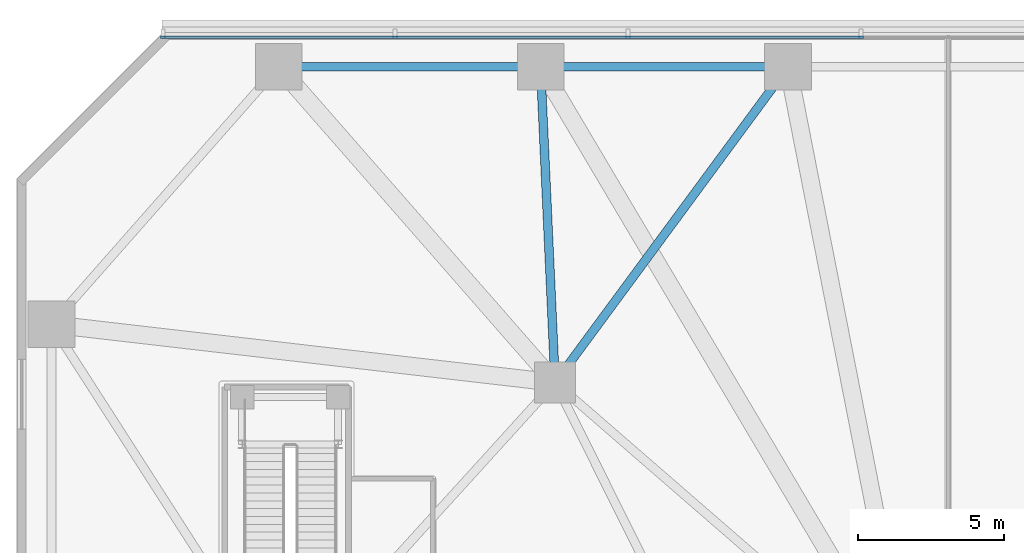
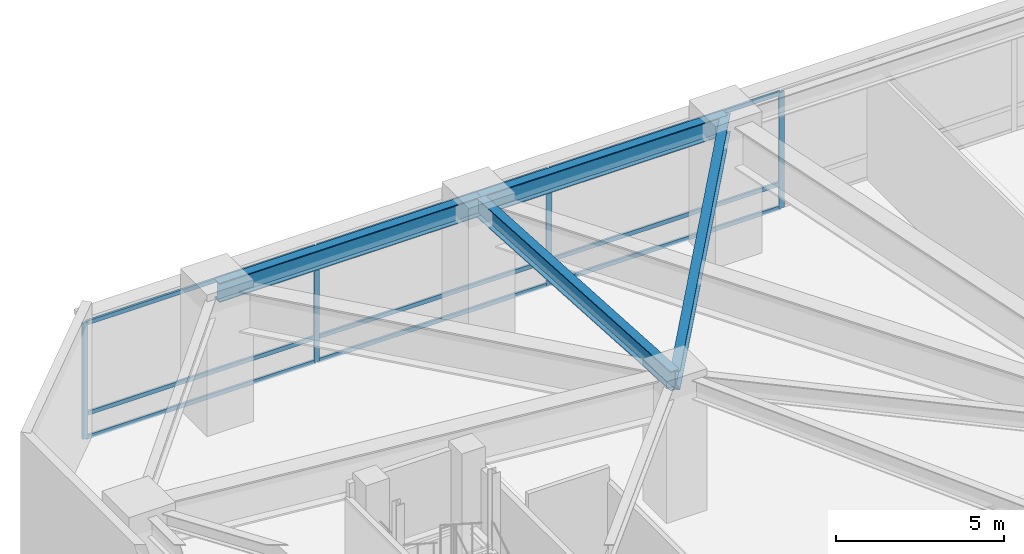
# One storey, part 9 of 27: 13 members, 4 beams, 1 element without a shape of its own.
"""IFC4 building model written with IfcOpenShell, lengths in metres."""

from ifc_helpers import new_model, si_unit, direction, frame, origin, origin_2d, place, context, subcontext, project, spatial, rectangle, i_section, extrude, material, layer, layer_set, material_profile, profile_set, type_object, element, aggregate, save


model = new_model("IFC4")

# Units and contexts
model_context = context("Model", 3, precision=1e-05, world=origin(), true_north=direction((0.0, 1.0)))
body_context = subcontext(model_context, "Body", "Model", "MODEL_VIEW")
ifc_project = project(units=[si_unit("LENGTHUNIT", "METRE"), si_unit("AREAUNIT", "SQUARE_METRE"), si_unit("VOLUMEUNIT", "CUBIC_METRE"), si_unit("PLANEANGLEUNIT", "RADIAN"), si_unit("MASSUNIT", "GRAM", prefix="KILO")], contexts=[model_context])

# Site, building, storey
site_placement = place(None, origin())
site = spatial("IfcSite", under=ifc_project, at=site_placement, CompositionType="ELEMENT")
building_placement = place(site_placement, origin())
building = spatial("IfcBuilding", under=site, at=building_placement, Name="Terralouvre Media Tower", CompositionType="ELEMENT")
storey_placement = place(building_placement, frame((0.0, 0.0, 5.199951171875)))
storey = spatial("IfcBuildingStorey", under=building, at=storey_placement, Name="L01", CompositionType="ELEMENT", Elevation=5.199951171875)

# Curtain wall, members
ifc_material_1 = material(Name="Low-iron laminated double glazing with solar-control coating", Category="glass")
ifc_layer = layer(ifc_material_1, 0.1650390625, Name="Podium Broadcast Gallery Glazing CW-01")
ifc_layer_set = layer_set([ifc_layer], Name="Low-iron laminated double glazing with solar-control coating")
curtain_wall_type = type_object("IfcCurtainWallType", Name="Podium Broadcast Gallery Glazing CW-01", PredefinedType="NOTDEFINED", material=ifc_layer_set)
curtain_wall_placement = place(storey_placement, origin())
curtain_wall = element("IfcCurtainWall", 1, at=curtain_wall_placement, inside=storey, type_object=curtain_wall_type, Name="L01 Podium Curtain Wall F4", PredefinedType="NOTDEFINED")
ifc_material_2 = material(Name="Anodised extruded aluminium 6063-T6", Category="aluminium")
ifc_material_profile_1 = material_profile(ifc_material_2, rectangle(XDim=0.074951171875, YDim=0.14990234375, at=origin_2d()), Name="ALU 75x150")
ifc_profile_set_1 = profile_set([ifc_material_profile_1], Name="Anodised extruded aluminium 6063-T6")
member_type_1 = type_object("IfcMemberType", Name="Curtain-Wall Horizontal Transom TR-150", PredefinedType="USERDEFINED", material=ifc_profile_set_1)
member_1_placement = place(storey_placement, frame((-8.03759765625, 33.360107421875, 0.03759765625), z_axis=(-1.0, 0.0, 0.0), x_axis=(0.0, -1.0, 0.0)))
member_1 = element("IfcMember", 2, at=member_1_placement, type_object=member_type_1, Name="CW-01 transom 6.1", ObjectType="TRANSOM", PredefinedType="USERDEFINED", context=body_context, shape_type="SweptSolid", body=[
    extrude(rectangle(XDim=0.074951171875, YDim=0.14990234375, at=origin_2d()), origin(), (0.0, 0.0, 1.0), 7.9248046875),
])
member_2_placement = place(storey_placement, frame((-8.03759765625, 33.360107421875, 0.900146484375), z_axis=(-1.0, 0.0, 0.0), x_axis=(0.0, -1.0, 0.0)))
member_2 = element("IfcMember", 3, at=member_2_placement, type_object=member_type_1, Name="CW-01 transom 6.2", ObjectType="TRANSOM", PredefinedType="USERDEFINED", context=body_context, shape_type="SweptSolid", body=[
    extrude(rectangle(XDim=0.074951171875, YDim=0.14990234375, at=origin_2d()), origin(), (0.0, 0.0, 1.0), 7.9248046875),
])
member_3_placement = place(storey_placement, frame((-8.03759765625, 33.360107421875, 4.192626953125), z_axis=(-1.0, 0.0, 0.0), x_axis=(0.0, -1.0, 0.0)))
member_3 = element("IfcMember", 4, at=member_3_placement, type_object=member_type_1, Name="CW-01 transom 6.3", ObjectType="TRANSOM", PredefinedType="USERDEFINED", context=body_context, shape_type="SweptSolid", body=[
    extrude(rectangle(XDim=0.074951171875, YDim=0.14990234375, at=origin_2d()), origin(), (0.0, 0.0, 1.0), 7.9248046875),
])
member_4_placement = place(storey_placement, frame((-16.03759765625, 33.360107421875, 0.03759765625), z_axis=(-1.0, 0.0, 0.0), x_axis=(0.0, -1.0, 0.0)))
member_4 = element("IfcMember", 5, at=member_4_placement, type_object=member_type_1, Name="CW-01 transom 7.1", ObjectType="TRANSOM", PredefinedType="USERDEFINED", context=body_context, shape_type="SweptSolid", body=[
    extrude(rectangle(XDim=0.074951171875, YDim=0.14990234375, at=origin_2d()), origin(), (0.0, 0.0, 1.0), 7.9248046875),
])
member_5_placement = place(storey_placement, frame((-16.03759765625, 33.360107421875, 0.900146484375), z_axis=(-1.0, 0.0, 0.0), x_axis=(0.0, -1.0, 0.0)))
member_5 = element("IfcMember", 6, at=member_5_placement, type_object=member_type_1, Name="CW-01 transom 7.2", ObjectType="TRANSOM", PredefinedType="USERDEFINED", context=body_context, shape_type="SweptSolid", body=[
    extrude(rectangle(XDim=0.074951171875, YDim=0.14990234375, at=origin_2d()), origin(), (0.0, 0.0, 1.0), 7.9248046875),
])
member_6_placement = place(storey_placement, frame((-16.03759765625, 33.360107421875, 4.192626953125), z_axis=(-1.0, 0.0, 0.0), x_axis=(0.0, -1.0, 0.0)))
member_6 = element("IfcMember", 7, at=member_6_placement, type_object=member_type_1, Name="CW-01 transom 7.3", ObjectType="TRANSOM", PredefinedType="USERDEFINED", context=body_context, shape_type="SweptSolid", body=[
    extrude(rectangle(XDim=0.074951171875, YDim=0.14990234375, at=origin_2d()), origin(), (0.0, 0.0, 1.0), 7.9248046875),
])
member_7_placement = place(storey_placement, frame((-24.03759765625, 33.360107421875, 0.03759765625), z_axis=(-1.0, 0.0, 0.0), x_axis=(0.0, -1.0, 0.0)))
member_7 = element("IfcMember", 8, at=member_7_placement, type_object=member_type_1, Name="CW-01 transom 8.1", ObjectType="TRANSOM", PredefinedType="USERDEFINED", context=body_context, shape_type="SweptSolid", body=[
    extrude(rectangle(XDim=0.074951171875, YDim=0.14990234375, at=origin_2d()), origin(), (0.0, 0.0, 1.0), 7.887451171875),
])
member_8_placement = place(storey_placement, frame((-24.03759765625, 33.360107421875, 0.900146484375), z_axis=(-1.0, 0.0, 0.0), x_axis=(0.0, -1.0, 0.0)))
member_8 = element("IfcMember", 9, at=member_8_placement, type_object=member_type_1, Name="CW-01 transom 8.2", ObjectType="TRANSOM", PredefinedType="USERDEFINED", context=body_context, shape_type="SweptSolid", body=[
    extrude(rectangle(XDim=0.074951171875, YDim=0.14990234375, at=origin_2d()), origin(), (0.0, 0.0, 1.0), 7.887451171875),
])
member_9_placement = place(storey_placement, frame((-24.03759765625, 33.360107421875, 4.192626953125), z_axis=(-1.0, 0.0, 0.0), x_axis=(0.0, -1.0, 0.0)))
member_9 = element("IfcMember", 10, at=member_9_placement, type_object=member_type_1, Name="CW-01 transom 8.3", ObjectType="TRANSOM", PredefinedType="USERDEFINED", context=body_context, shape_type="SweptSolid", body=[
    extrude(rectangle(XDim=0.074951171875, YDim=0.14990234375, at=origin_2d()), origin(), (0.0, 0.0, 1.0), 7.887451171875),
])
ifc_material_3 = material(Name="Anodised extruded aluminium 6063-T6", Category="aluminium")
ifc_material_profile_2 = material_profile(ifc_material_3, rectangle(XDim=0.074951171875, YDim=0.179931640625, at=origin_2d()), Name="ALU 75x180")
ifc_profile_set_2 = profile_set([ifc_material_profile_2], Name="Anodised extruded aluminium 6063-T6")
member_type_2 = type_object("IfcMemberType", Name="Curtain-Wall Vertical Mullion ML-180", PredefinedType="MULLION", material=ifc_profile_set_2)
member_10_placement = place(storey_placement, frame((-8.0, 33.360107421875, 0.0), z_axis=(0.0, 0.0, 1.0), x_axis=(0.0, -1.0, 0.0)))
member_10 = element("IfcMember", 11, at=member_10_placement, type_object=member_type_2, Name="CW-01 mullion 6", PredefinedType="MULLION", context=body_context, shape_type="SweptSolid", body=[
    extrude(rectangle(XDim=0.074951171875, YDim=0.179931640625, at=origin_2d()), origin(), (0.0, 0.0, 1.0), 4.22998046875),
])
member_11_placement = place(storey_placement, frame((-16.0, 33.360107421875, 0.0), z_axis=(0.0, 0.0, 1.0), x_axis=(0.0, -1.0, 0.0)))
member_11 = element("IfcMember", 12, at=member_11_placement, type_object=member_type_2, Name="CW-01 mullion 7", PredefinedType="MULLION", context=body_context, shape_type="SweptSolid", body=[
    extrude(rectangle(XDim=0.074951171875, YDim=0.179931640625, at=origin_2d()), origin(), (0.0, 0.0, 1.0), 4.22998046875),
])
member_12_placement = place(storey_placement, frame((-24.0, 33.360107421875, 0.0), z_axis=(0.0, 0.0, 1.0), x_axis=(0.0, -1.0, 0.0)))
member_12 = element("IfcMember", 13, at=member_12_placement, type_object=member_type_2, Name="CW-01 mullion 8", PredefinedType="MULLION", context=body_context, shape_type="SweptSolid", body=[
    extrude(rectangle(XDim=0.074951171875, YDim=0.179931640625, at=origin_2d()), origin(), (0.0, 0.0, 1.0), 4.22998046875),
])
member_13_placement = place(storey_placement, frame((-31.96240234375, 33.360107421875, 0.0), z_axis=(0.0, 0.0, 1.0), x_axis=(0.0, -1.0, 0.0)))
member_13 = element("IfcMember", 14, at=member_13_placement, type_object=member_type_2, Name="CW-01 mullion 9", PredefinedType="MULLION", context=body_context, shape_type="SweptSolid", body=[
    extrude(rectangle(XDim=0.074951171875, YDim=0.179931640625, at=origin_2d()), origin(), (0.0, 0.0, 1.0), 4.22998046875),
])
aggregate(curtain_wall, [member_10, member_11, member_12, member_13, member_1, member_2, member_3, member_4, member_5, member_6, member_7, member_8, member_9])

# Beams
ifc_material_4 = material(Name="Structural steel S460M", Category="steel")
ifc_material_profile_3 = material_profile(ifc_material_4, i_section(OverallWidth=0.300048828125, OverallDepth=0.699951171875, WebThickness=0.01708984375, FlangeThickness=0.031982421875, at=origin_2d()), Name="HEB 700")
ifc_profile_set_3 = profile_set([ifc_material_profile_3], Name="Structural steel S460M")
beam_type = type_object("IfcBeamType", Name="Primary Floor Girder B-HEB700 (HEB 700)", PredefinedType="BEAM", material=ifc_profile_set_3)
beam_1_placement = place(storey_placement, frame((-18.5, 21.5, 4.60009765625), z_axis=(-0.046033681898, 0.998939888147, 0.0), x_axis=(-0.998939888147, -0.046033681898, 0.0)))
element("IfcBeam", 15, at=beam_1_placement, inside=storey, type_object=beam_type, Name="L01 Framing Beam BM-L01-PM19P1", PredefinedType="BEAM", context=body_context, shape_type="SweptSolid", body=[
    extrude(i_section(OverallWidth=0.300048828125, OverallDepth=0.699951171875, WebThickness=0.01708984375, FlangeThickness=0.031982421875, at=origin_2d()), origin(), (0.0, 0.0, 1.0), 10.861572265625),
])
beam_2_placement = place(storey_placement, frame((-18.5, 21.5, 4.60009765625), z_axis=(0.593448591359, 0.804871896276, 0.0), x_axis=(-0.804871896276, 0.593448591359, 0.0)))
element("IfcBeam", 16, at=beam_2_placement, inside=storey, type_object=beam_type, Name="L01 Framing Beam BM-L01-PM19P2", PredefinedType="BEAM", context=body_context, shape_type="SweptSolid", body=[
    extrude(i_section(OverallWidth=0.300048828125, OverallDepth=0.699951171875, WebThickness=0.01708984375, FlangeThickness=0.031982421875, at=origin_2d()), origin(), (0.0, 0.0, 1.0), 13.48046875),
])
beam_3_placement = place(storey_placement, frame((-10.5, 32.35009765625, 4.60009765625), z_axis=(-1.0, 0.0, 0.0), x_axis=(0.0, -1.0, 0.0)))
element("IfcBeam", 17, at=beam_3_placement, inside=storey, type_object=beam_type, Name="L01 Framing Beam BM-L01-PR14", PredefinedType="BEAM", context=body_context, shape_type="SweptSolid", body=[
    extrude(i_section(OverallWidth=0.300048828125, OverallDepth=0.699951171875, WebThickness=0.01708984375, FlangeThickness=0.031982421875, at=origin_2d()), origin(), (0.0, 0.0, 1.0), 8.5),
])
beam_4_placement = place(storey_placement, frame((-19.0, 32.35009765625, 4.60009765625), z_axis=(-1.0, 0.0, 0.0), x_axis=(0.0, -1.0, 0.0)))
element("IfcBeam", 18, at=beam_4_placement, inside=storey, type_object=beam_type, Name="L01 Framing Beam BM-L01-PR15", PredefinedType="BEAM", context=body_context, shape_type="SweptSolid", body=[
    extrude(i_section(OverallWidth=0.300048828125, OverallDepth=0.699951171875, WebThickness=0.01708984375, FlangeThickness=0.031982421875, at=origin_2d()), origin(), (0.0, 0.0, 1.0), 9.0),
])

save(model, "model.ifc")
